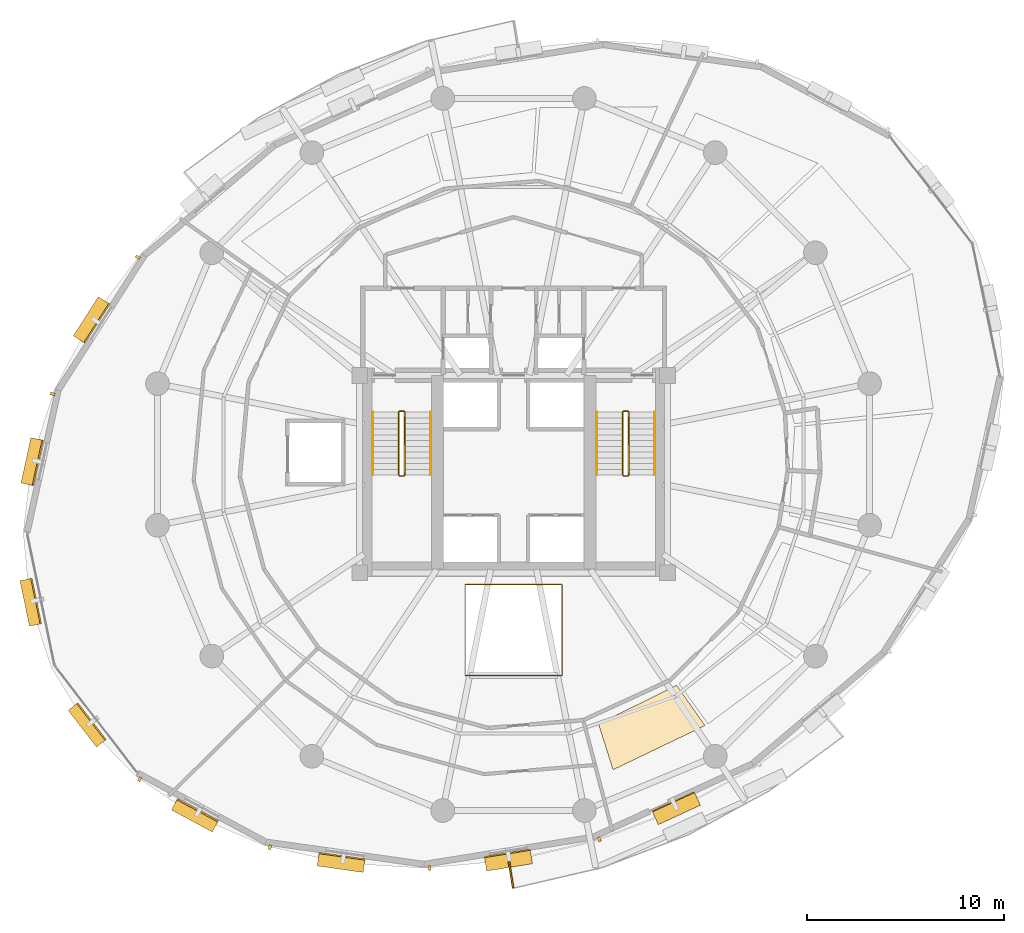
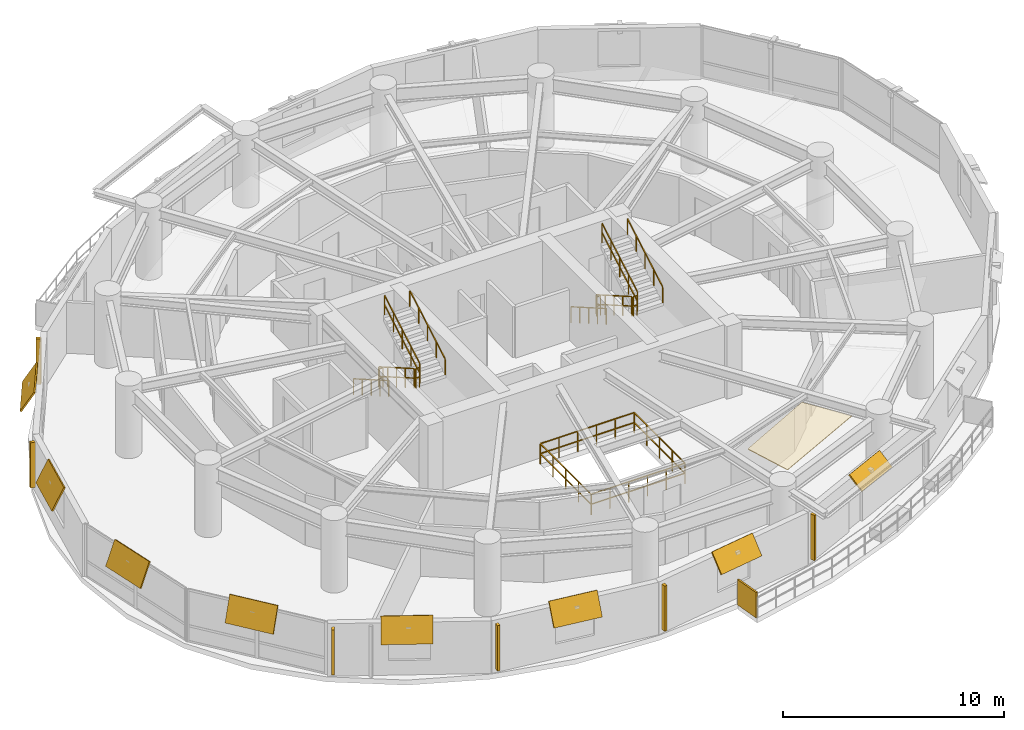
# One storey, part 13 of 14: 15 shading devices, 13 railings, 1 covering.
"""IFC4 building model written with IfcOpenShell, lengths in metres."""

from ifc_helpers import new_model, si_unit, direction, frame, origin, origin_2d, place, context, subcontext, project, spatial, polyline, rectangle, outline, extrude, material, layer, layer_set, type_object, element, save


model = new_model("IFC4")

# Units and contexts
model_context = context("Model", 3, precision=1e-05, world=origin(), true_north=direction((0.0, 1.0)))
body_context = subcontext(model_context, "Body", "Model", "MODEL_VIEW")
ifc_project = project(units=[si_unit("LENGTHUNIT", "METRE"), si_unit("AREAUNIT", "SQUARE_METRE"), si_unit("VOLUMEUNIT", "CUBIC_METRE"), si_unit("PLANEANGLEUNIT", "RADIAN"), si_unit("MASSUNIT", "GRAM", prefix="KILO"), si_unit("THERMODYNAMICTEMPERATUREUNIT", "KELVIN"), si_unit("POWERUNIT", "WATT")], contexts=[model_context])

# Site, building, storey
site_placement = place(None, origin())
site = spatial("IfcSite", under=ifc_project, at=site_placement, CompositionType="ELEMENT")
building_placement = place(site_placement, origin())
building = spatial("IfcBuilding", under=site, at=building_placement, Name="Ocrelia Relay Tower", CompositionType="ELEMENT")
storey_placement = place(building_placement, frame((0.0, 0.0, 137.800048828125)))
storey = spatial("IfcBuildingStorey", under=building, at=storey_placement, Name="L32", CompositionType="ELEMENT", Elevation=137.800048828125)

# Covering
ifc_material_1 = material(Name="Cleanroom metal-pan acoustic ceiling", Category="aluminium")
ifc_layer_1 = layer(ifc_material_1, 0.0400390625, Name="Cleanroom metal-pan acoustic ceiling")
ifc_layer_set_1 = layer_set([ifc_layer_1], Name="Cleanroom metal-pan acoustic ceiling")
covering_type = type_object("IfcCoveringType", Name="COV-CEIL-CLEAN", PredefinedType="CEILING", material=ifc_layer_set_1)
covering_placement = place(storey_placement, frame((0.0, 0.0, 2.719970703125)))
element("IfcCovering", 1, at=covering_placement, inside=storey, type_object=covering_type, Name="L32 Optical Systems Laboratory Suspended Ceiling 1", PredefinedType="CEILING", context=body_context, shape_type="SweptSolid", body=[
    extrude(outline(polyline([(38.30615234375, 12.3427734375), (39.0390625, 10.018310546875), (43.705078125, 12.25927734375), (42.26123046875, 14.30322265625), (38.30615234375, 12.3427734375)])), origin(), (0.0, 0.0, 1.0), 0.0400390625),
])

# Railings
ifc_material_2 = material(Name="Steel S355 atrium balustrade", Category="steel")
railing_type_1 = type_object("IfcRailingType", Name="RL-INT-GUARD-115", PredefinedType="GUARDRAIL", material=ifc_material_2)
railing_1_placement = place(storey_placement, frame((31.550048828125, 14.800048828125, 0.0)))
element("IfcRailing", 2, at=railing_1_placement, inside=storey, type_object=railing_type_1, Name="L32 Multi-Zone Interior Atrium Guard", PredefinedType="GUARDRAIL", context=body_context, shape_type="SweptSolid", body=[
    extrude(rectangle(XDim=0.048095703125, YDim=0.048095703125, at=origin_2d()), frame((0.0, 0.0, 1.1259765625), z_axis=(1.0, 0.0, 0.0), x_axis=(0.0, 1.0, 0.0)), (0.0, 0.0, 1.0), 4.89990234375),
    extrude(rectangle(XDim=0.048095703125, YDim=0.048095703125, at=origin_2d()), frame((0.0, 0.0, 0.574951171875), z_axis=(1.0, 0.0, 0.0), x_axis=(0.0, 1.0, 0.0)), (0.0, 0.0, 1.0), 4.89990234375),
    extrude(rectangle(XDim=0.048095703125, YDim=0.048095703125, at=origin_2d()), frame((4.89990234375, 0.0, 1.1259765625), z_axis=(0.0, 1.0, 0.0), x_axis=(-1.0, 0.0, 0.0)), (0.0, 0.0, 1.0), 4.599853515625),
    extrude(rectangle(XDim=0.048095703125, YDim=0.048095703125, at=origin_2d()), frame((4.89990234375, 0.0, 0.574951171875), z_axis=(0.0, 1.0, 0.0), x_axis=(-1.0, 0.0, 0.0)), (0.0, 0.0, 1.0), 4.599853515625),
    extrude(rectangle(XDim=0.048095703125, YDim=0.048095703125, at=origin_2d()), frame((4.89990234375, 4.599853515625, 1.1259765625), z_axis=(-1.0, 0.0, 0.0), x_axis=(0.0, -1.0, 0.0)), (0.0, 0.0, 1.0), 4.89990234375),
    extrude(rectangle(XDim=0.048095703125, YDim=0.048095703125, at=origin_2d()), frame((4.89990234375, 4.599853515625, 0.574951171875), z_axis=(-1.0, 0.0, 0.0), x_axis=(0.0, -1.0, 0.0)), (0.0, 0.0, 1.0), 4.89990234375),
    extrude(rectangle(XDim=0.048095703125, YDim=0.048095703125, at=origin_2d()), frame((0.0, 4.599853515625, 1.1259765625), z_axis=(0.0, -1.0, 0.0), x_axis=(1.0, 0.0, 0.0)), (0.0, 0.0, 1.0), 4.599853515625),
    extrude(rectangle(XDim=0.048095703125, YDim=0.048095703125, at=origin_2d()), frame((0.0, 4.599853515625, 0.574951171875), z_axis=(0.0, -1.0, 0.0), x_axis=(1.0, 0.0, 0.0)), (0.0, 0.0, 1.0), 4.599853515625),
    extrude(rectangle(XDim=0.0419921875, YDim=0.0419921875, at=origin_2d()), origin(), (0.0, 0.0, 1.0), 1.101806640625),
    extrude(rectangle(XDim=0.0419921875, YDim=0.0419921875, at=origin_2d()), frame((0.97998046875, 0.0, 0.0)), (0.0, 0.0, 1.0), 1.101806640625),
    extrude(rectangle(XDim=0.0419921875, YDim=0.0419921875, at=origin_2d()), frame((1.9599609375, 0.0, 0.0)), (0.0, 0.0, 1.0), 1.101806640625),
    extrude(rectangle(XDim=0.0419921875, YDim=0.0419921875, at=origin_2d()), frame((2.93994140625, 0.0, 0.0)), (0.0, 0.0, 1.0), 1.101806640625),
    extrude(rectangle(XDim=0.0419921875, YDim=0.0419921875, at=origin_2d()), frame((3.919921875, 0.0, 0.0)), (0.0, 0.0, 1.0), 1.101806640625),
    extrude(rectangle(XDim=0.0419921875, YDim=0.0419921875, at=origin_2d()), frame((4.89990234375, 0.0, 0.0)), (0.0, 0.0, 1.0), 1.101806640625),
    extrude(rectangle(XDim=0.0419921875, YDim=0.0419921875, at=origin_2d()), frame((4.89990234375, 1.14990234375, 0.0)), (0.0, 0.0, 1.0), 1.101806640625),
    extrude(rectangle(XDim=0.0419921875, YDim=0.0419921875, at=origin_2d()), frame((4.89990234375, 2.2998046875, 0.0)), (0.0, 0.0, 1.0), 1.101806640625),
    extrude(rectangle(XDim=0.0419921875, YDim=0.0419921875, at=origin_2d()), frame((4.89990234375, 3.449951171875, 0.0)), (0.0, 0.0, 1.0), 1.101806640625),
    extrude(rectangle(XDim=0.0419921875, YDim=0.0419921875, at=origin_2d()), frame((4.89990234375, 4.599853515625, 0.0)), (0.0, 0.0, 1.0), 1.101806640625),
    extrude(rectangle(XDim=0.0419921875, YDim=0.0419921875, at=origin_2d()), frame((3.919921875, 4.599853515625, 0.0)), (0.0, 0.0, 1.0), 1.101806640625),
    extrude(rectangle(XDim=0.0419921875, YDim=0.0419921875, at=origin_2d()), frame((2.93994140625, 4.599853515625, 0.0)), (0.0, 0.0, 1.0), 1.101806640625),
    extrude(rectangle(XDim=0.0419921875, YDim=0.0419921875, at=origin_2d()), frame((1.9599609375, 4.599853515625, 0.0)), (0.0, 0.0, 1.0), 1.101806640625),
    extrude(rectangle(XDim=0.0419921875, YDim=0.0419921875, at=origin_2d()), frame((0.97998046875, 4.599853515625, 0.0)), (0.0, 0.0, 1.0), 1.101806640625),
    extrude(rectangle(XDim=0.0419921875, YDim=0.0419921875, at=origin_2d()), frame((0.0, 4.599853515625, 0.0)), (0.0, 0.0, 1.0), 1.101806640625),
    extrude(rectangle(XDim=0.0419921875, YDim=0.0419921875, at=origin_2d()), frame((0.0, 3.449951171875, 0.0)), (0.0, 0.0, 1.0), 1.101806640625),
    extrude(rectangle(XDim=0.0419921875, YDim=0.0419921875, at=origin_2d()), frame((0.0, 2.2998046875, 0.0)), (0.0, 0.0, 1.0), 1.101806640625),
    extrude(rectangle(XDim=0.0419921875, YDim=0.0419921875, at=origin_2d()), frame((0.0, 1.14990234375, 0.0)), (0.0, 0.0, 1.0), 1.101806640625),
])
ifc_material_3 = material(Name="Steel S355 balustrade", Category="steel")
railing_type_2 = type_object("IfcRailingType", Name="RL-STAIR-GUARD", PredefinedType="GUARDRAIL", material=ifc_material_3)
railing_2_placement = place(storey_placement, frame((28.179931640625, 28.14990234375, 0.16650390625)))
element("IfcRailing", 3, at=railing_2_placement, inside=storey, type_object=railing_type_2, Name="L32 ST1 stair guard 1", PredefinedType="GUARDRAIL", context=body_context, shape_type="SweptSolid", body=[
    extrude(rectangle(XDim=0.048095703125, YDim=0.048095703125, at=origin_2d()), frame((0.0, 0.0, 1.076171875), z_axis=(0.0, -0.86699087805, 0.498324008431), x_axis=(1.0, 0.0, 0.0)), (0.0, 0.0, 1.0), 3.679443359375),
    extrude(rectangle(XDim=0.048095703125, YDim=0.048095703125, at=origin_2d()), frame((0.0, 0.0, 0.550048828125), z_axis=(0.0, -0.86699087805, 0.498324008431), x_axis=(1.0, 0.0, 0.0)), (0.0, 0.0, 1.0), 3.679443359375),
    extrude(rectangle(XDim=0.0419921875, YDim=0.0419921875, at=origin_2d()), origin(), (0.0, 0.0, 1.0), 1.052001953125),
    extrude(rectangle(XDim=0.0419921875, YDim=0.0419921875, at=origin_2d()), frame((0.0, -0.79736328125, 0.45849609375)), (0.0, 0.0, 1.0), 1.052001953125),
    extrude(rectangle(XDim=0.0419921875, YDim=0.0419921875, at=origin_2d()), frame((0.0, -1.594970703125, 0.916748046875)), (0.0, 0.0, 1.0), 1.052001953125),
    extrude(rectangle(XDim=0.0419921875, YDim=0.0419921875, at=origin_2d()), frame((0.0, -2.392578125, 1.375)), (0.0, 0.0, 1.0), 1.052001953125),
    extrude(rectangle(XDim=0.0419921875, YDim=0.0419921875, at=origin_2d()), frame((0.0, -3.18994140625, 1.83349609375)), (0.0, 0.0, 1.0), 1.052001953125),
])
railing_3_placement = place(storey_placement, frame((28.22998046875, 24.909912109375, 2.0)))
element("IfcRailing", 4, at=railing_3_placement, inside=storey, type_object=railing_type_2, Name="L32 ST1 stair guard 2", PredefinedType="GUARDRAIL", context=body_context, shape_type="SweptSolid", body=[
    extrude(rectangle(XDim=0.048095703125, YDim=0.048095703125, at=origin_2d()), frame((0.0, 0.0, 1.076171875), z_axis=(1.0, 0.0, 0.0), x_axis=(0.0, 1.0, 0.0)), (0.0, 0.0, 1.0), 0.199951171875),
    extrude(rectangle(XDim=0.048095703125, YDim=0.048095703125, at=origin_2d()), frame((0.0, 0.0, 0.550048828125), z_axis=(1.0, 0.0, 0.0), x_axis=(0.0, 1.0, 0.0)), (0.0, 0.0, 1.0), 0.199951171875),
    extrude(rectangle(XDim=0.0419921875, YDim=0.0419921875, at=origin_2d()), origin(), (0.0, 0.0, 1.0), 1.052001953125),
    extrude(rectangle(XDim=0.0419921875, YDim=0.0419921875, at=origin_2d()), frame((0.199951171875, 0.0, 0.0)), (0.0, 0.0, 1.0), 1.052001953125),
])
railing_4_placement = place(storey_placement, frame((28.47998046875, 24.9599609375, 2.16650390625)))
element("IfcRailing", 5, at=railing_4_placement, inside=storey, type_object=railing_type_2, Name="L32 ST1 stair guard 3", PredefinedType="GUARDRAIL", context=body_context, shape_type="SweptSolid", body=[
    extrude(rectangle(XDim=0.048095703125, YDim=0.048095703125, at=origin_2d()), frame((0.0, 0.0, 1.076171875), z_axis=(0.0, 0.86699087805, 0.498324008431), x_axis=(-1.0, 0.0, 0.0)), (0.0, 0.0, 1.0), 3.679443359375),
    extrude(rectangle(XDim=0.048095703125, YDim=0.048095703125, at=origin_2d()), frame((0.0, 0.0, 0.550048828125), z_axis=(0.0, 0.86699087805, 0.498324008431), x_axis=(-1.0, 0.0, 0.0)), (0.0, 0.0, 1.0), 3.679443359375),
    extrude(rectangle(XDim=0.0419921875, YDim=0.0419921875, at=origin_2d()), origin(), (0.0, 0.0, 1.0), 1.052001953125),
    extrude(rectangle(XDim=0.0419921875, YDim=0.0419921875, at=origin_2d()), frame((0.0, 0.79736328125, 0.45849609375)), (0.0, 0.0, 1.0), 1.052001953125),
    extrude(rectangle(XDim=0.0419921875, YDim=0.0419921875, at=origin_2d()), frame((0.0, 1.594970703125, 0.916748046875)), (0.0, 0.0, 1.0), 1.052001953125),
    extrude(rectangle(XDim=0.0419921875, YDim=0.0419921875, at=origin_2d()), frame((0.0, 2.392578125, 1.375)), (0.0, 0.0, 1.0), 1.052001953125),
    extrude(rectangle(XDim=0.0419921875, YDim=0.0419921875, at=origin_2d()), frame((0.0, 3.18994140625, 1.83349609375)), (0.0, 0.0, 1.0), 1.052001953125),
])
railing_5_placement = place(storey_placement, frame((28.22998046875, 28.199951171875, 0.0)))
element("IfcRailing", 6, at=railing_5_placement, inside=storey, type_object=railing_type_2, Name="L32 ST1 stair guard 4", PredefinedType="GUARDRAIL", context=body_context, shape_type="SweptSolid", body=[
    extrude(rectangle(XDim=0.048095703125, YDim=0.048095703125, at=origin_2d()), frame((0.0, 0.0, 1.076171875), z_axis=(1.0, 0.0, 0.0), x_axis=(0.0, 1.0, 0.0)), (0.0, 0.0, 1.0), 0.199951171875),
    extrude(rectangle(XDim=0.048095703125, YDim=0.048095703125, at=origin_2d()), frame((0.0, 0.0, 0.550048828125), z_axis=(1.0, 0.0, 0.0), x_axis=(0.0, 1.0, 0.0)), (0.0, 0.0, 1.0), 0.199951171875),
    extrude(rectangle(XDim=0.0419921875, YDim=0.0419921875, at=origin_2d()), origin(), (0.0, 0.0, 1.0), 1.052001953125),
    extrude(rectangle(XDim=0.0419921875, YDim=0.0419921875, at=origin_2d()), frame((0.199951171875, 0.0, 0.0)), (0.0, 0.0, 1.0), 1.052001953125),
])
railing_6_placement = place(storey_placement, frame((39.530029296875, 28.14990234375, 0.16650390625)))
element("IfcRailing", 7, at=railing_6_placement, inside=storey, type_object=railing_type_2, Name="L32 ST2 stair guard 1", PredefinedType="GUARDRAIL", context=body_context, shape_type="SweptSolid", body=[
    extrude(rectangle(XDim=0.048095703125, YDim=0.048095703125, at=origin_2d()), frame((0.0, 0.0, 1.076171875), z_axis=(0.0, -0.86699087805, 0.498324008431), x_axis=(1.0, 0.0, 0.0)), (0.0, 0.0, 1.0), 3.679443359375),
    extrude(rectangle(XDim=0.048095703125, YDim=0.048095703125, at=origin_2d()), frame((0.0, 0.0, 0.550048828125), z_axis=(0.0, -0.86699087805, 0.498324008431), x_axis=(1.0, 0.0, 0.0)), (0.0, 0.0, 1.0), 3.679443359375),
    extrude(rectangle(XDim=0.0419921875, YDim=0.0419921875, at=origin_2d()), origin(), (0.0, 0.0, 1.0), 1.052001953125),
    extrude(rectangle(XDim=0.0419921875, YDim=0.0419921875, at=origin_2d()), frame((0.0, -0.79736328125, 0.45849609375)), (0.0, 0.0, 1.0), 1.052001953125),
    extrude(rectangle(XDim=0.0419921875, YDim=0.0419921875, at=origin_2d()), frame((0.0, -1.594970703125, 0.916748046875)), (0.0, 0.0, 1.0), 1.052001953125),
    extrude(rectangle(XDim=0.0419921875, YDim=0.0419921875, at=origin_2d()), frame((0.0, -2.392578125, 1.375)), (0.0, 0.0, 1.0), 1.052001953125),
    extrude(rectangle(XDim=0.0419921875, YDim=0.0419921875, at=origin_2d()), frame((0.0, -3.18994140625, 1.83349609375)), (0.0, 0.0, 1.0), 1.052001953125),
])
railing_7_placement = place(storey_placement, frame((39.580078125, 24.909912109375, 2.0)))
element("IfcRailing", 8, at=railing_7_placement, inside=storey, type_object=railing_type_2, Name="L32 ST2 stair guard 2", PredefinedType="GUARDRAIL", context=body_context, shape_type="SweptSolid", body=[
    extrude(rectangle(XDim=0.048095703125, YDim=0.048095703125, at=origin_2d()), frame((0.0, 0.0, 1.076171875), z_axis=(1.0, 0.0, 0.0), x_axis=(0.0, 1.0, 0.0)), (0.0, 0.0, 1.0), 0.199951171875),
    extrude(rectangle(XDim=0.048095703125, YDim=0.048095703125, at=origin_2d()), frame((0.0, 0.0, 0.550048828125), z_axis=(1.0, 0.0, 0.0), x_axis=(0.0, 1.0, 0.0)), (0.0, 0.0, 1.0), 0.199951171875),
    extrude(rectangle(XDim=0.0419921875, YDim=0.0419921875, at=origin_2d()), origin(), (0.0, 0.0, 1.0), 1.052001953125),
    extrude(rectangle(XDim=0.0419921875, YDim=0.0419921875, at=origin_2d()), frame((0.199951171875, 0.0, 0.0)), (0.0, 0.0, 1.0), 1.052001953125),
])
railing_8_placement = place(storey_placement, frame((39.830078125, 24.9599609375, 2.16650390625)))
element("IfcRailing", 9, at=railing_8_placement, inside=storey, type_object=railing_type_2, Name="L32 ST2 stair guard 3", PredefinedType="GUARDRAIL", context=body_context, shape_type="SweptSolid", body=[
    extrude(rectangle(XDim=0.048095703125, YDim=0.048095703125, at=origin_2d()), frame((0.0, 0.0, 1.076171875), z_axis=(0.0, 0.86699087805, 0.498324008431), x_axis=(-1.0, 0.0, 0.0)), (0.0, 0.0, 1.0), 3.679443359375),
    extrude(rectangle(XDim=0.048095703125, YDim=0.048095703125, at=origin_2d()), frame((0.0, 0.0, 0.550048828125), z_axis=(0.0, 0.86699087805, 0.498324008431), x_axis=(-1.0, 0.0, 0.0)), (0.0, 0.0, 1.0), 3.679443359375),
    extrude(rectangle(XDim=0.0419921875, YDim=0.0419921875, at=origin_2d()), origin(), (0.0, 0.0, 1.0), 1.052001953125),
    extrude(rectangle(XDim=0.0419921875, YDim=0.0419921875, at=origin_2d()), frame((0.0, 0.79736328125, 0.45849609375)), (0.0, 0.0, 1.0), 1.052001953125),
    extrude(rectangle(XDim=0.0419921875, YDim=0.0419921875, at=origin_2d()), frame((0.0, 1.594970703125, 0.916748046875)), (0.0, 0.0, 1.0), 1.052001953125),
    extrude(rectangle(XDim=0.0419921875, YDim=0.0419921875, at=origin_2d()), frame((0.0, 2.392578125, 1.375)), (0.0, 0.0, 1.0), 1.052001953125),
    extrude(rectangle(XDim=0.0419921875, YDim=0.0419921875, at=origin_2d()), frame((0.0, 3.18994140625, 1.83349609375)), (0.0, 0.0, 1.0), 1.052001953125),
])
railing_9_placement = place(storey_placement, frame((39.580078125, 28.199951171875, 0.0)))
element("IfcRailing", 10, at=railing_9_placement, inside=storey, type_object=railing_type_2, Name="L32 ST2 stair guard 4", PredefinedType="GUARDRAIL", context=body_context, shape_type="SweptSolid", body=[
    extrude(rectangle(XDim=0.048095703125, YDim=0.048095703125, at=origin_2d()), frame((0.0, 0.0, 1.076171875), z_axis=(1.0, 0.0, 0.0), x_axis=(0.0, 1.0, 0.0)), (0.0, 0.0, 1.0), 0.199951171875),
    extrude(rectangle(XDim=0.048095703125, YDim=0.048095703125, at=origin_2d()), frame((0.0, 0.0, 0.550048828125), z_axis=(1.0, 0.0, 0.0), x_axis=(0.0, 1.0, 0.0)), (0.0, 0.0, 1.0), 0.199951171875),
    extrude(rectangle(XDim=0.0419921875, YDim=0.0419921875, at=origin_2d()), origin(), (0.0, 0.0, 1.0), 1.052001953125),
    extrude(rectangle(XDim=0.0419921875, YDim=0.0419921875, at=origin_2d()), frame((0.199951171875, 0.0, 0.0)), (0.0, 0.0, 1.0), 1.052001953125),
])
ifc_material_4 = material(Name="Steel S355 tubular handrail", Category="steel")
railing_type_3 = type_object("IfcRailingType", Name="RL-STAIR-HAND", PredefinedType="HANDRAIL", material=ifc_material_4)
railing_10_placement = place(storey_placement, frame((26.860107421875, 28.14990234375, 0.16650390625)))
element("IfcRailing", 11, at=railing_10_placement, inside=storey, type_object=railing_type_3, Name="L32 ST1 stair handrail 1", PredefinedType="HANDRAIL", context=body_context, shape_type="SweptSolid", body=[
    extrude(rectangle(XDim=0.048095703125, YDim=0.048095703125, at=origin_2d()), frame((0.0, 0.0, 0.8759765625), z_axis=(0.0, -0.86699087805, 0.498324008431), x_axis=(1.0, 0.0, 0.0)), (0.0, 0.0, 1.0), 3.679443359375),
    extrude(rectangle(XDim=0.0419921875, YDim=0.0419921875, at=origin_2d()), origin(), (0.0, 0.0, 1.0), 0.851806640625),
    extrude(rectangle(XDim=0.0419921875, YDim=0.0419921875, at=origin_2d()), frame((0.0, -0.79736328125, 0.45849609375)), (0.0, 0.0, 1.0), 0.851806640625),
    extrude(rectangle(XDim=0.0419921875, YDim=0.0419921875, at=origin_2d()), frame((0.0, -1.594970703125, 0.916748046875)), (0.0, 0.0, 1.0), 0.851806640625),
    extrude(rectangle(XDim=0.0419921875, YDim=0.0419921875, at=origin_2d()), frame((0.0, -2.392578125, 1.375)), (0.0, 0.0, 1.0), 0.851806640625),
    extrude(rectangle(XDim=0.0419921875, YDim=0.0419921875, at=origin_2d()), frame((0.0, -3.18994140625, 1.83349609375)), (0.0, 0.0, 1.0), 0.851806640625),
])
railing_11_placement = place(storey_placement, frame((29.800048828125, 24.9599609375, 2.16650390625)))
element("IfcRailing", 12, at=railing_11_placement, inside=storey, type_object=railing_type_3, Name="L32 ST1 stair handrail 2", PredefinedType="HANDRAIL", context=body_context, shape_type="SweptSolid", body=[
    extrude(rectangle(XDim=0.048095703125, YDim=0.048095703125, at=origin_2d()), frame((0.0, 0.0, 0.8759765625), z_axis=(0.0, 0.86699087805, 0.498324008431), x_axis=(-1.0, 0.0, 0.0)), (0.0, 0.0, 1.0), 3.679443359375),
    extrude(rectangle(XDim=0.0419921875, YDim=0.0419921875, at=origin_2d()), origin(), (0.0, 0.0, 1.0), 0.851806640625),
    extrude(rectangle(XDim=0.0419921875, YDim=0.0419921875, at=origin_2d()), frame((0.0, 0.79736328125, 0.45849609375)), (0.0, 0.0, 1.0), 0.851806640625),
    extrude(rectangle(XDim=0.0419921875, YDim=0.0419921875, at=origin_2d()), frame((0.0, 1.594970703125, 0.916748046875)), (0.0, 0.0, 1.0), 0.851806640625),
    extrude(rectangle(XDim=0.0419921875, YDim=0.0419921875, at=origin_2d()), frame((0.0, 2.392578125, 1.375)), (0.0, 0.0, 1.0), 0.851806640625),
    extrude(rectangle(XDim=0.0419921875, YDim=0.0419921875, at=origin_2d()), frame((0.0, 3.18994140625, 1.83349609375)), (0.0, 0.0, 1.0), 0.851806640625),
])
railing_12_placement = place(storey_placement, frame((38.2099609375, 28.14990234375, 0.16650390625)))
element("IfcRailing", 13, at=railing_12_placement, inside=storey, type_object=railing_type_3, Name="L32 ST2 stair handrail 1", PredefinedType="HANDRAIL", context=body_context, shape_type="SweptSolid", body=[
    extrude(rectangle(XDim=0.048095703125, YDim=0.048095703125, at=origin_2d()), frame((0.0, 0.0, 0.8759765625), z_axis=(0.0, -0.86699087805, 0.498324008431), x_axis=(1.0, 0.0, 0.0)), (0.0, 0.0, 1.0), 3.679443359375),
    extrude(rectangle(XDim=0.0419921875, YDim=0.0419921875, at=origin_2d()), origin(), (0.0, 0.0, 1.0), 0.851806640625),
    extrude(rectangle(XDim=0.0419921875, YDim=0.0419921875, at=origin_2d()), frame((0.0, -0.79736328125, 0.45849609375)), (0.0, 0.0, 1.0), 0.851806640625),
    extrude(rectangle(XDim=0.0419921875, YDim=0.0419921875, at=origin_2d()), frame((0.0, -1.594970703125, 0.916748046875)), (0.0, 0.0, 1.0), 0.851806640625),
    extrude(rectangle(XDim=0.0419921875, YDim=0.0419921875, at=origin_2d()), frame((0.0, -2.392578125, 1.375)), (0.0, 0.0, 1.0), 0.851806640625),
    extrude(rectangle(XDim=0.0419921875, YDim=0.0419921875, at=origin_2d()), frame((0.0, -3.18994140625, 1.83349609375)), (0.0, 0.0, 1.0), 0.851806640625),
])
railing_13_placement = place(storey_placement, frame((41.14990234375, 24.9599609375, 2.16650390625)))
element("IfcRailing", 14, at=railing_13_placement, inside=storey, type_object=railing_type_3, Name="L32 ST2 stair handrail 2", PredefinedType="HANDRAIL", context=body_context, shape_type="SweptSolid", body=[
    extrude(rectangle(XDim=0.048095703125, YDim=0.048095703125, at=origin_2d()), frame((0.0, 0.0, 0.8759765625), z_axis=(0.0, 0.86699087805, 0.498324008431), x_axis=(-1.0, 0.0, 0.0)), (0.0, 0.0, 1.0), 3.679443359375),
    extrude(rectangle(XDim=0.0419921875, YDim=0.0419921875, at=origin_2d()), origin(), (0.0, 0.0, 1.0), 0.851806640625),
    extrude(rectangle(XDim=0.0419921875, YDim=0.0419921875, at=origin_2d()), frame((0.0, 0.79736328125, 0.45849609375)), (0.0, 0.0, 1.0), 0.851806640625),
    extrude(rectangle(XDim=0.0419921875, YDim=0.0419921875, at=origin_2d()), frame((0.0, 1.594970703125, 0.916748046875)), (0.0, 0.0, 1.0), 0.851806640625),
    extrude(rectangle(XDim=0.0419921875, YDim=0.0419921875, at=origin_2d()), frame((0.0, 2.392578125, 1.375)), (0.0, 0.0, 1.0), 0.851806640625),
    extrude(rectangle(XDim=0.0419921875, YDim=0.0419921875, at=origin_2d()), frame((0.0, 3.18994140625, 1.83349609375)), (0.0, 0.0, 1.0), 0.851806640625),
])

# Shading devices
ifc_material_5 = material(Name="Perforated oxide terracotta solar screen", Category="masonry")
ifc_layer_2 = layer(ifc_material_5, 0.090087890625, Name="Perforated oxide terracotta solar screen")
ifc_layer_set_2 = layer_set([ifc_layer_2], Name="Perforated oxide terracotta solar screen")
shading_device_type_1 = type_object("IfcShadingDeviceType", Name="SH-BALC-SCREEN", PredefinedType="USERDEFINED", material=ifc_layer_set_2)
shading_device_1_placement = place(storey_placement, frame((33.872314453125, 4.69140625, 0.0), z_axis=(0.0, 0.0, 1.0), x_axis=(0.157237536424, -0.987560811869, 0.0)))
element("IfcShadingDevice", 15, at=shading_device_1_placement, inside=storey, type_object=shading_device_type_1, Name="L32 Balcony Perforated Terracotta Screen B2-1", ObjectType="SCREEN", PredefinedType="USERDEFINED", context=body_context, shape_type="SweptSolid", body=[
    extrude(rectangle(XDim=1.340087890625, YDim=0.090087890625, at=origin_2d()), origin(), (0.0, 0.0, 1.0), 1.39990234375),
])
ifc_material_6 = material(Name="Extruded oxide terracotta vertical baguette", Category="masonry")
shading_device_type_2 = type_object("IfcShadingDeviceType", Name="SH-TERR-BAGUETTE", PredefinedType="USERDEFINED", material=ifc_material_6)
for number, where, z_axis, x_axis, name in (
    (16, (14.955078125, 35.993896484375, 0.199951171875), (0.0, 0.0, 1.0), (-0.538509892269, -0.842619187966, 0.0), "L32 Oxide Terracotta Vertical Baguette 07"),
    (17, (10.64306640625, 29.06591796875, 0.199951171875), (0.0, 0.0, 1.0), (-0.213359589922, -0.976973738331, 0.0), "L32 Oxide Terracotta Vertical Baguette 08"),
    (18, (15.04833984375, 9.541259765625, 0.199951171875), (0.0, 0.0, 1.0), (0.880639352003, -0.473787221972, 0.0), "L32 Oxide Terracotta Vertical Baguette 11"),
    (19, (21.653564453125, 6.09814453125, 0.199951171875), (0.0, 0.0, 1.0), (0.990223333079, -0.139491041381, 0.0), "L32 Oxide Terracotta Vertical Baguette 12"),
    (20, (29.737548828125, 5.041259765625, 0.199951171875), (0.0, 0.0, 1.0), (0.987334209575, 0.158654210793, 0.0), "L32 Oxide Terracotta Vertical Baguette 13"),
    (21, (38.34130859375, 6.49755859375, 0.199951171875), (0.0, 0.0, 1.0), (0.908510009821, 0.417863090084, 0.0), "L32 Oxide Terracotta Vertical Baguette 14"),
):
    element("IfcShadingDevice", number, at=place(storey_placement, frame(where, z_axis=z_axis, x_axis=x_axis)), inside=storey, type_object=shading_device_type_2, Name=name, ObjectType="BAGUETTE", PredefinedType="USERDEFINED", context=body_context, shape_type="SweptSolid", body=[
        extrude(rectangle(XDim=0.139892578125, YDim=0.239990234375, at=origin_2d()), origin(), (0.0, 0.0, 1.0), 2.5),
    ])
ifc_material_7 = material(Name="Extruded oxide terracotta fin", Category="masonry")
ifc_layer_3 = layer(ifc_material_7, 0.080078125, Name="Extruded oxide terracotta fin")
ifc_layer_set_3 = layer_set([ifc_layer_3], Name="Extruded oxide terracotta fin")
shading_device_type_3 = type_object("IfcShadingDeviceType", Name="SH-VISOR-FIN-DEEP", PredefinedType="USERDEFINED", material=ifc_layer_set_3)
shading_device_2_placement = place(storey_placement, frame((12.643310546875, 32.797607421875, 2.7197265625), z_axis=(-0.727068069424, 0.464662273693, 0.505431492718), x_axis=(-0.538509892269, -0.842619187966, 0.0)))
element("IfcShadingDevice", 22, at=shading_device_2_placement, inside=storey, type_object=shading_device_type_3, Name="L32 Canted Terracotta Sun-Visor Fin 07", ObjectType="FIN", PredefinedType="USERDEFINED", context=body_context, shape_type="SweptSolid", body=[
    extrude(rectangle(XDim=2.35009765625, YDim=1.243896484375, at=origin_2d()), origin(), (0.0, 0.0, 1.0), 0.080078125),
])
shading_device_3_placement = place(storey_placement, frame((9.63818359375, 25.629150390625, 2.722412109375), z_axis=(-0.877349357815, 0.191602795303, 0.439939169856), x_axis=(-0.213359589922, -0.976973738331, 0.0)))
element("IfcShadingDevice", 23, at=shading_device_3_placement, inside=storey, type_object=shading_device_type_3, Name="L32 Canted Terracotta Sun-Visor Fin 08", ObjectType="FIN", PredefinedType="USERDEFINED", context=body_context, shape_type="SweptSolid", body=[
    extrude(rectangle(XDim=2.35009765625, YDim=1.31494140625, at=origin_2d()), origin(), (0.0, 0.0, 1.0), 0.080078125),
])
shading_device_4_placement = place(storey_placement, frame((9.565185546875, 18.5205078125, 2.7236328125), z_axis=(-0.892859270991, -0.185401457434, 0.410400562604), x_axis=(0.203312170747, -0.979113967435, 0.0)))
element("IfcShadingDevice", 24, at=shading_device_4_placement, inside=storey, type_object=shading_device_type_3, Name="L32 Canted Terracotta Sun-Visor Fin 09", ObjectType="FIN", PredefinedType="USERDEFINED", context=body_context, shape_type="SweptSolid", body=[
    extrude(rectangle(XDim=2.35009765625, YDim=1.345947265625, at=origin_2d()), origin(), (0.0, 0.0, 1.0), 0.080078125),
])
shading_device_5_placement = place(storey_placement, frame((12.419189453125, 12.314453125, 2.7236328125), z_axis=(-0.721989222646, -0.557399918111, 0.409923033842), x_axis=(0.611103634519, -0.791550597168, 0.0)))
element("IfcShadingDevice", 25, at=shading_device_5_placement, inside=storey, type_object=shading_device_type_3, Name="L32 Canted Terracotta Sun-Visor Fin 10", ObjectType="FIN", PredefinedType="USERDEFINED", context=body_context, shape_type="SweptSolid", body=[
    extrude(rectangle(XDim=2.35009765625, YDim=1.346923828125, at=origin_2d()), origin(), (0.0, 0.0, 1.0), 0.080078125),
])
shading_device_6_placement = place(storey_placement, frame((17.864013671875, 7.743896484375, 2.722412109375), z_axis=(-0.425837134322, -0.791513406517, 0.438371146789), x_axis=(0.880639352003, -0.473787221972, 0.0)))
element("IfcShadingDevice", 26, at=shading_device_6_placement, inside=storey, type_object=shading_device_type_3, Name="L32 Canted Terracotta Sun-Visor Fin 11", ObjectType="FIN", PredefinedType="USERDEFINED", context=body_context, shape_type="SweptSolid", body=[
    extrude(rectangle(XDim=2.35009765625, YDim=1.31689453125, at=origin_2d()), origin(), (0.0, 0.0, 1.0), 0.080078125),
])
shading_device_7_placement = place(storey_placement, frame((25.2626953125, 5.35986328125, 2.719970703125), z_axis=(-0.12057083674, -0.855911997266, 0.50286909456), x_axis=(0.990223333079, -0.139491041381, 0.0)))
element("IfcShadingDevice", 27, at=shading_device_7_placement, inside=storey, type_object=shading_device_type_3, Name="L32 Canted Terracotta Sun-Visor Fin 12", ObjectType="FIN", PredefinedType="USERDEFINED", context=body_context, shape_type="SweptSolid", body=[
    extrude(rectangle(XDim=2.35009765625, YDim=1.2470703125, at=origin_2d()), origin(), (0.0, 0.0, 1.0), 0.080078125),
])
ifc_layer_4 = layer(ifc_material_7, 0.080078125, Name="Extruded oxide terracotta fin")
ifc_layer_set_4 = layer_set([ifc_layer_4], Name="Extruded oxide terracotta fin")
shading_device_type_4 = type_object("IfcShadingDeviceType", Name="SH-VISOR-FIN-MED", PredefinedType="USERDEFINED", material=ifc_layer_set_4)
shading_device_8_placement = place(storey_placement, frame((33.734375, 5.474853515625, 2.715576171875), z_axis=(0.125733870734, -0.782464904385, 0.609868565477), x_axis=(0.987334209575, 0.158654210793, 0.0)))
element("IfcShadingDevice", 28, at=shading_device_8_placement, inside=storey, type_object=shading_device_type_4, Name="L32 Canted Terracotta Sun-Visor Fin 13", ObjectType="FIN", PredefinedType="USERDEFINED", context=body_context, shape_type="SweptSolid", body=[
    extrude(rectangle(XDim=2.35009765625, YDim=1.1240234375, at=origin_2d()), origin(), (0.0, 0.0, 1.0), 0.080078125),
])
shading_device_9_placement = place(storey_placement, frame((42.232666015625, 8.1005859375, 2.710205078125), z_axis=(0.280308839088, -0.609442164662, 0.741624704726), x_axis=(0.908510009821, 0.417863090084, 0.0)))
element("IfcShadingDevice", 29, at=shading_device_9_placement, inside=storey, type_object=shading_device_type_4, Name="L32 Canted Terracotta Sun-Visor Fin 14", ObjectType="FIN", PredefinedType="USERDEFINED", context=body_context, shape_type="SweptSolid", body=[
    extrude(rectangle(XDim=2.35009765625, YDim=0.951904296875, at=origin_2d()), origin(), (0.0, 0.0, 1.0), 0.080078125),
])

save(model, "model.ifc")
